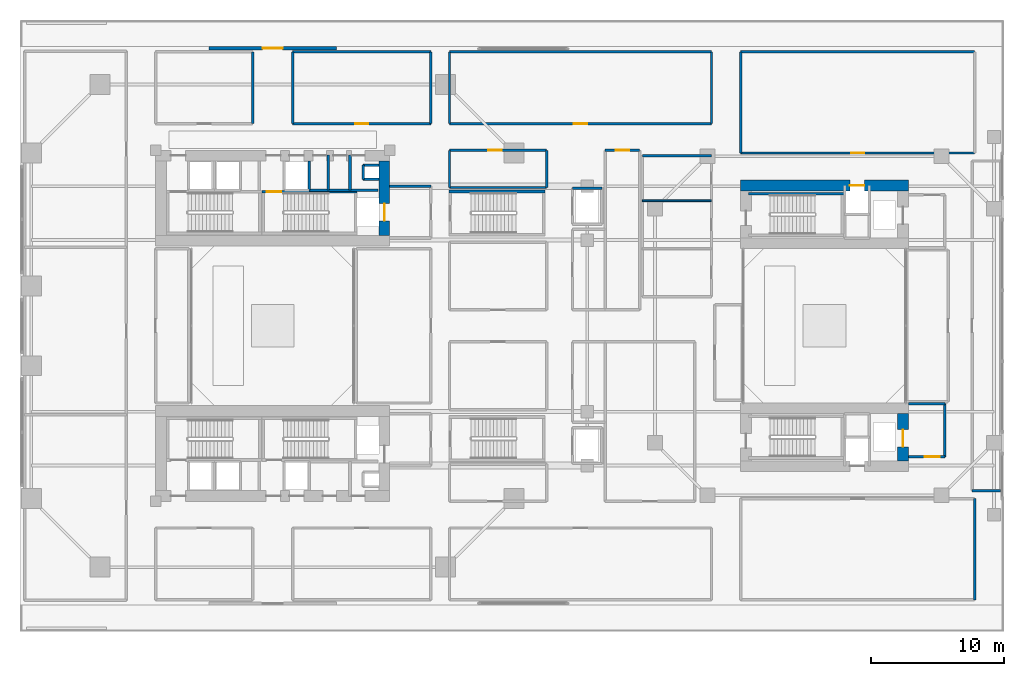
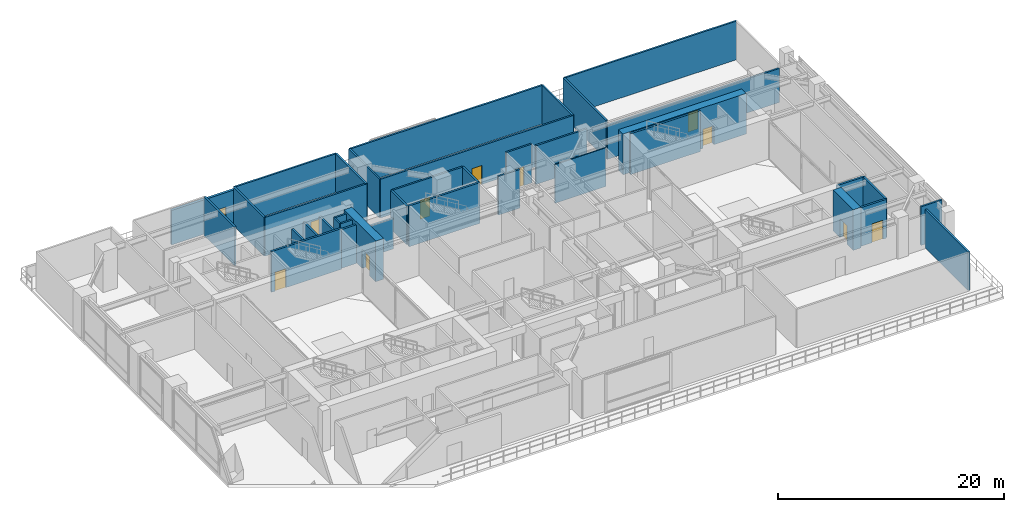
# One storey, part 14 of 19: 40 walls, 11 doors, 11 openings.
"""IFC4 building model written with IfcOpenShell, lengths in metres."""

from ifc_helpers import new_model, si_unit, direction, frame, frame_2d, origin, place, context, subcontext, project, spatial, rectangle, extrude, source, transform, mapped, material, layer, layer_set, type_object, element, fill, save


model = new_model("IFC4")

# Units and contexts
model_context = context("Model", 3, precision=1e-05, world=origin(), true_north=direction((0.0, 1.0)))
body_context = subcontext(model_context, "Body", "Model", "MODEL_VIEW")
ifc_project = project(units=[si_unit("LENGTHUNIT", "METRE"), si_unit("AREAUNIT", "SQUARE_METRE"), si_unit("VOLUMEUNIT", "CUBIC_METRE"), si_unit("PLANEANGLEUNIT", "RADIAN"), si_unit("MASSUNIT", "GRAM", prefix="KILO"), si_unit("THERMODYNAMICTEMPERATUREUNIT", "KELVIN"), si_unit("POWERUNIT", "WATT")], contexts=[model_context])

# Site, building, storey
site_placement = place(None, origin())
site = spatial("IfcSite", under=ifc_project, at=site_placement, CompositionType="ELEMENT")
building_placement = place(site_placement, origin())
building = spatial("IfcBuilding", under=site, at=building_placement, Name="Qiaomeng Ring Towers", CompositionType="ELEMENT")
storey_placement = place(building_placement, frame((0.0, 0.0, 5.0)))
storey = spatial("IfcBuildingStorey", under=building, at=storey_placement, Name="L01", CompositionType="ELEMENT", Elevation=5.0)

# Wall, opening, door
ifc_material_1 = material(Name="Precast concrete C40", Category="concrete")
ifc_layer_1 = layer(ifc_material_1, 0.25, Name="Precast concrete C40")
ifc_layer_set_1 = layer_set([ifc_layer_1], Name="Precast concrete C40")
wall_type_1 = type_object("IfcWallType", Name="ARC-WL-EW1", PredefinedType="STANDARD", material=ifc_layer_set_1)
wall_1_placement = place(storey_placement, frame((14.199951171875, 43.875, 0.0), z_axis=(0.0, 0.0, 1.0), x_axis=(1.0, 0.0, 0.0)))
wall_1 = element("IfcWall", 1, at=wall_1_placement, inside=storey, type_object=wall_type_1, Name="L01 North Podium Wall", PredefinedType="STANDARD", context=body_context, shape_type="SweptSolid", body=[
    extrude(rectangle(XDim=9.60009765625, YDim=0.25, at=frame_2d((4.800048828125, 0.0))), origin(), (0.0, 0.0, 1.0), 3.719970703125),
])
opening_1_placement = place(wall_1_placement, frame((4.050048828125, 0.0, 0.0)))
opening_1 = element("IfcOpeningElement", 2, at=opening_1_placement, cuts=wall_1, Name="Opening BD2", PredefinedType="OPENING", context=body_context, shape_type="SweptSolid", body=[
    extrude(rectangle(XDim=1.5, YDim=2.14990234375, at=frame_2d((0.75, 1.074951171875))), frame((0.0, 0.135009765625, 0.0), z_axis=(0.0, -1.0, 0.0), x_axis=(1.0, 0.0, 0.0)), (0.0, 0.0, 1.0), 0.27001953125),
])
ifc_material_2 = material(Name="Low-E pale-green laminated safety glass", Category="glass")
door_type_1 = type_object("IfcDoorType", Name="ARC-DR-BD2", OperationType="NOTDEFINED", PredefinedType="DOOR", material=ifc_material_2)
shared_shape_1 = source(origin(), body_context, "Body", "SweptSolid", [
    extrude(rectangle(XDim=1.5, YDim=2.14990234375, at=frame_2d((0.75, 1.074951171875))), frame((0.0, 0.02490234375, 0.0), z_axis=(0.0, -1.0, 0.0), x_axis=(1.0, 0.0, 0.0)), (0.0, 0.0, 1.0), 0.050048828125),
])
door_1_placement = place(opening_1_placement, origin())
door_1 = element("IfcDoor", 3, at=door_1_placement, inside=storey, type_object=door_type_1, Name="L01 North Podium Terrace Door", OperationType="DOUBLE_DOOR_SINGLE_SWING", OverallHeight=2.14990234375, OverallWidth=1.5, PredefinedType="DOOR", context=body_context, shape_type="MappedRepresentation", body=[
    mapped(shared_shape_1, transform((0.0, 0.0, 0.0), x_axis=(1.0, 0.0, 0.0), y_axis=(0.0, 1.0, 0.0), z_axis=(0.0, 0.0, 1.0), scale=1.0)),
])
fill(opening_1, door_1)

# Walls
ifc_material_3 = material(Name="Autoclaved aerated concrete block", Category="concrete")
ifc_layer_2 = layer(ifc_material_3, 0.199951171875, Name="Autoclaved aerated concrete block")
ifc_layer_set_2 = layer_set([ifc_layer_2], Name="Autoclaved aerated concrete block")
wall_type_2 = type_object("IfcWallType", Name="ARC-WL-PW1", PredefinedType="PARTITIONING", material=ifc_layer_set_2)
wall_2_placement = place(storey_placement, frame((27.800048828125, 33.5, 0.0), z_axis=(0.0, 0.0, 1.0), x_axis=(1.0, 0.0, 0.0)))
element("IfcWall", 4, at=wall_2_placement, inside=storey, type_object=wall_type_2, Name="L01 Interior Wall PW1", PredefinedType="PARTITIONING", context=body_context, shape_type="SweptSolid", body=[
    extrude(rectangle(XDim=3.099853515625, YDim=0.199951171875, at=frame_2d((1.5498046875, 0.0))), origin(), (0.0, 0.0, 1.0), 3.324951171875),
])
wall_3_placement = place(storey_placement, frame((24.820068359375, 33.199951171875, 0.0), z_axis=(0.0, 0.0, 1.0), x_axis=(0.0, 1.0, 0.0)))
element("IfcWall", 5, at=wall_3_placement, inside=storey, type_object=wall_type_2, Name="L01 Interior Wall PW1", PredefinedType="PARTITIONING", context=body_context, shape_type="SweptSolid", body=[
    extrude(rectangle(XDim=2.650146484375, YDim=0.199951171875, at=frame_2d((1.3251953125, 0.0))), origin(), (0.0, 0.0, 1.0), 4.179931640625),
])
wall_4_placement = place(storey_placement, frame((21.75, 33.199951171875, 0.0), z_axis=(0.0, 0.0, 1.0), x_axis=(0.0, 1.0, 0.0)))
element("IfcWall", 6, at=wall_4_placement, inside=storey, type_object=wall_type_2, Name="L01 Interior Wall PW1", PredefinedType="PARTITIONING", context=body_context, shape_type="SweptSolid", body=[
    extrude(rectangle(XDim=2.199951171875, YDim=0.199951171875, at=frame_2d((1.10009765625, 0.0))), origin(), (0.0, 0.0, 1.0), 4.179931640625),
])
wall_5_placement = place(storey_placement, frame((23.169921875, 33.199951171875, 0.0), z_axis=(0.0, 0.0, 1.0), x_axis=(0.0, 1.0, 0.0)))
element("IfcWall", 7, at=wall_5_placement, inside=storey, type_object=wall_type_2, Name="L01 Interior Wall PW1", PredefinedType="PARTITIONING", context=body_context, shape_type="SweptSolid", body=[
    extrude(rectangle(XDim=2.650146484375, YDim=0.199951171875, at=frame_2d((1.3251953125, 0.0))), origin(), (0.0, 0.0, 1.0), 4.179931640625),
])
wall_6_placement = place(storey_placement, frame((21.75, 33.199951171875, 0.0), z_axis=(0.0, 0.0, 1.0), x_axis=(1.0, 0.0, 0.0)))
element("IfcWall", 8, at=wall_6_placement, inside=storey, type_object=wall_type_2, Name="L01 Interior Wall PW1", PredefinedType="PARTITIONING", context=body_context, shape_type="SweptSolid", body=[
    extrude(rectangle(XDim=5.169921875, YDim=0.199951171875, at=frame_2d((2.5849609375, 0.0))), origin(), (0.0, 0.0, 1.0), 4.179931640625),
])
wall_7_placement = place(storey_placement, frame((66.800048828125, 17.14990234375, 0.0), z_axis=(0.0, 0.0, 1.0), x_axis=(1.0, 0.0, 0.0)))
element("IfcWall", 9, at=wall_7_placement, inside=storey, type_object=wall_type_2, Name="L01 Interior Wall PW1", PredefinedType="PARTITIONING", context=body_context, shape_type="SweptSolid", body=[
    extrude(rectangle(XDim=2.75, YDim=0.199951171875, at=frame_2d((1.375, 0.0))), origin(), (0.0, 0.0, 1.0), 4.179931640625),
])
wall_8_placement = place(storey_placement, frame((69.550048828125, 13.14990234375, 0.0), z_axis=(0.0, 0.0, 1.0), x_axis=(0.0, 1.0, 0.0)))
element("IfcWall", 10, at=wall_8_placement, inside=storey, type_object=wall_type_2, Name="L01 Interior Wall PW1", PredefinedType="PARTITIONING", context=body_context, shape_type="SweptSolid", body=[
    extrude(rectangle(XDim=4.0, YDim=0.199951171875, at=frame_2d((2.0, 0.0))), origin(), (0.0, 0.0, 1.0), 4.179931640625),
])

# Wall, opening, door
wall_9_placement = place(storey_placement, frame((66.800048828125, 13.14990234375, 0.0), z_axis=(0.0, 0.0, 1.0), x_axis=(1.0, 0.0, 0.0)))
wall_9 = element("IfcWall", 11, at=wall_9_placement, inside=storey, type_object=wall_type_2, Name="L01 Interior Wall PW1", PredefinedType="PARTITIONING", context=body_context, shape_type="SweptSolid", body=[
    extrude(rectangle(XDim=2.75, YDim=0.199951171875, at=frame_2d((1.375, 0.0))), origin(), (0.0, 0.0, 1.0), 4.179931640625),
])
opening_2_placement = place(wall_9_placement, frame((1.25, 0.0, 0.0)))
opening_2 = element("IfcOpeningElement", 12, at=opening_2_placement, cuts=wall_9, Name="Opening FD3", PredefinedType="OPENING", context=body_context, shape_type="SweptSolid", body=[
    extrude(rectangle(XDim=1.10009765625, YDim=2.050048828125, at=frame_2d((0.550048828125, 1.02490234375))), frame((0.0, 0.10986328125, 0.0), z_axis=(0.0, -1.0, 0.0), x_axis=(1.0, 0.0, 0.0)), (0.0, 0.0, 1.0), 0.219970703125),
])
ifc_material_4 = material(Name="Galvanised steel", Category="steel")
door_type_2 = type_object("IfcDoorType", Name="ARC-DR-FD3", OperationType="NOTDEFINED", PredefinedType="DOOR", material=ifc_material_4)
shared_shape_2 = source(origin(), body_context, "Body", "SweptSolid", [
    extrude(rectangle(XDim=1.10009765625, YDim=2.050048828125, at=frame_2d((0.550048828125, 1.02490234375))), frame((0.0, 0.02490234375, 0.0), z_axis=(0.0, -1.0, 0.0), x_axis=(1.0, 0.0, 0.0)), (0.0, 0.0, 1.0), 0.050048828125),
])
door_2_placement = place(opening_2_placement, origin())
door_2 = element("IfcDoor", 13, at=door_2_placement, inside=storey, type_object=door_type_2, Name="L01 Door FD3", OperationType="SINGLE_SWING_LEFT", OverallHeight=2.050048828125, OverallWidth=1.10009765625, PredefinedType="DOOR", context=body_context, shape_type="MappedRepresentation", body=[
    mapped(shared_shape_2, transform((0.0, 0.0, 0.0), x_axis=(1.0, 0.0, 0.0), y_axis=(0.0, 1.0, 0.0), z_axis=(0.0, 0.0, 1.0), scale=1.0)),
])
fill(opening_2, door_2)

# Walls
ifc_layer_3 = layer(ifc_material_3, 0.179931640625, Name="Autoclaved aerated concrete block")
ifc_layer_set_3 = layer_set([ifc_layer_3], Name="Autoclaved aerated concrete block")
wall_type_3 = type_object("IfcWallType", Name="ARC-WL-PW2", PredefinedType="PARTITIONING", material=ifc_layer_set_3)
wall_10_placement = place(storey_placement, frame((46.800048828125, 35.800048828125, 0.0), z_axis=(0.0, 0.0, 1.0), x_axis=(1.0, 0.0, 0.0)))
element("IfcWall", 14, at=wall_10_placement, inside=storey, type_object=wall_type_3, Name="L01 Interior Wall PW2", PredefinedType="PARTITIONING", context=body_context, shape_type="SweptSolid", body=[
    extrude(rectangle(XDim=5.199951171875, YDim=0.179931640625, at=frame_2d((2.60009765625, 0.0))), origin(), (0.0, 0.0, 1.0), 4.179931640625),
])
wall_11_placement = place(storey_placement, frame((32.300048828125, 33.39990234375, 0.0), z_axis=(0.0, 0.0, 1.0), x_axis=(1.0, 0.0, 0.0)))
element("IfcWall", 15, at=wall_11_placement, inside=storey, type_object=wall_type_3, Name="L01 Interior Wall PW2", PredefinedType="PARTITIONING", context=body_context, shape_type="SweptSolid", body=[
    extrude(rectangle(XDim=7.300048828125, YDim=0.179931640625, at=frame_2d((3.64990234375, 0.0))), origin(), (0.0, 0.0, 1.0), 3.324951171875),
])

# Wall, opening, door
wall_12_placement = place(storey_placement, frame((32.300048828125, 36.199951171875, 0.0), z_axis=(0.0, 0.0, 1.0), x_axis=(1.0, 0.0, 0.0)))
wall_12 = element("IfcWall", 16, at=wall_12_placement, inside=storey, type_object=wall_type_3, Name="L01 Interior Wall PW2", PredefinedType="PARTITIONING", context=body_context, shape_type="SweptSolid", body=[
    extrude(rectangle(XDim=7.300048828125, YDim=0.179931640625, at=frame_2d((3.64990234375, 0.0))), origin(), (0.0, 0.0, 1.0), 4.179931640625),
])
opening_3_placement = place(wall_12_placement, frame((2.9169921875, 0.0, 0.0)))
opening_3 = element("IfcOpeningElement", 17, at=opening_3_placement, cuts=wall_12, Name="Opening FD4", PredefinedType="OPENING", context=body_context, shape_type="SweptSolid", body=[
    extrude(rectangle(XDim=1.0, YDim=2.050048828125, at=frame_2d((0.5, 1.02490234375))), frame((0.0, 0.099853515625, 0.0), z_axis=(0.0, -1.0, 0.0), x_axis=(1.0, 0.0, 0.0)), (0.0, 0.0, 1.0), 0.199951171875),
])
ifc_material_5 = material(Name="Engineered fire-rated oak timber", Category="wood")
door_type_3 = type_object("IfcDoorType", Name="ARC-DR-FD4", OperationType="NOTDEFINED", PredefinedType="DOOR", material=ifc_material_5)
shared_shape_3 = source(origin(), body_context, "Body", "SweptSolid", [
    extrude(rectangle(XDim=1.0, YDim=2.050048828125, at=frame_2d((0.5, 1.02490234375))), frame((0.0, 0.02490234375, 0.0), z_axis=(0.0, -1.0, 0.0), x_axis=(1.0, 0.0, 0.0)), (0.0, 0.0, 1.0), 0.050048828125),
])
door_3_placement = place(opening_3_placement, origin())
door_3 = element("IfcDoor", 18, at=door_3_placement, inside=storey, type_object=door_type_3, Name="L01 L01 Cardiology Examination Room Door", OperationType="SINGLE_SWING_RIGHT", OverallHeight=2.050048828125, OverallWidth=1.0, PredefinedType="DOOR", context=body_context, shape_type="MappedRepresentation", body=[
    mapped(shared_shape_3, transform((0.0, 0.0, 0.0), x_axis=(1.0, 0.0, 0.0), y_axis=(0.0, 1.0, 0.0), z_axis=(0.0, 0.0, 1.0), scale=1.0)),
])
fill(opening_3, door_3)

# Walls
for number, where, z_axis, x_axis, name in (
    (19, (32.300048828125, 33.39990234375, 0.0), (0.0, 0.0, 1.0), (0.0, 1.0, 0.0), "L01 Interior Wall PW2"),
    (20, (39.60009765625, 33.39990234375, 0.0), (0.0, 0.0, 1.0), (0.0, 1.0, 0.0), "L01 Interior Wall PW2"),
):
    element("IfcWall", number, at=place(storey_placement, frame(where, z_axis=z_axis, x_axis=x_axis)), inside=storey, type_object=wall_type_3, Name=name, PredefinedType="PARTITIONING", context=body_context, shape_type="SweptSolid", body=[
        extrude(rectangle(XDim=2.800048828125, YDim=0.179931640625, at=frame_2d((1.39990234375, 0.0))), origin(), (0.0, 0.0, 1.0), 4.179931640625),
    ])

# Wall, opening, door
wall_13_placement = place(storey_placement, frame((44.0, 36.199951171875, 0.0), z_axis=(0.0, 0.0, 1.0), x_axis=(1.0, 0.0, 0.0)))
wall_13 = element("IfcWall", 21, at=wall_13_placement, inside=storey, type_object=wall_type_3, Name="L01 Interior Wall PW2", PredefinedType="PARTITIONING", context=body_context, shape_type="SweptSolid", body=[
    extrude(rectangle(XDim=2.60009765625, YDim=0.179931640625, at=frame_2d((1.300048828125, 0.0))), origin(), (0.0, 0.0, 1.0), 4.179931640625),
])
opening_4_placement = place(wall_13_placement, frame((0.800048828125, 0.0, 0.0)))
opening_4 = element("IfcOpeningElement", 22, at=opening_4_placement, cuts=wall_13, Name="Opening FD4", PredefinedType="OPENING", context=body_context, shape_type="SweptSolid", body=[
    extrude(rectangle(XDim=1.0, YDim=2.050048828125, at=frame_2d((0.5, 1.02490234375))), frame((0.0, 0.099853515625, 0.0), z_axis=(0.0, -1.0, 0.0), x_axis=(1.0, 0.0, 0.0)), (0.0, 0.0, 1.0), 0.199951171875),
])
door_4_placement = place(opening_4_placement, origin())
door_4 = element("IfcDoor", 23, at=door_4_placement, inside=storey, type_object=door_type_3, Name="L01 L01 Dental Care Clinic Door", OperationType="SINGLE_SWING_RIGHT", OverallHeight=2.050048828125, OverallWidth=1.0, PredefinedType="DOOR", context=body_context, shape_type="MappedRepresentation", body=[
    mapped(shared_shape_3, transform((0.0, 0.0, 0.0), x_axis=(1.0, 0.0, 0.0), y_axis=(0.0, 1.0, 0.0), z_axis=(0.0, 0.0, 1.0), scale=1.0)),
])
fill(opening_4, door_4)

# Walls
wall_14_placement = place(storey_placement, frame((71.60009765625, 10.60009765625, 0.0), z_axis=(0.0, 0.0, 1.0), x_axis=(1.0, 0.0, 0.0)))
element("IfcWall", 24, at=wall_14_placement, inside=storey, type_object=wall_type_3, Name="L01 Interior Wall PW2", PredefinedType="PARTITIONING", context=body_context, shape_type="SweptSolid", body=[
    extrude(rectangle(XDim=2.14990234375, YDim=0.179931640625, at=frame_2d((1.074951171875, 0.0))), origin(), (0.0, 0.0, 1.0), 4.179931640625),
])
wall_15_placement = place(storey_placement, frame((17.5, 38.199951171875, 0.0), z_axis=(0.0, 0.0, 1.0), x_axis=(0.0, 1.0, 0.0)))
element("IfcWall", 25, at=wall_15_placement, inside=storey, type_object=wall_type_3, Name="L01 Interior Wall PW2", PredefinedType="PARTITIONING", context=body_context, shape_type="SweptSolid", body=[
    extrude(rectangle(XDim=5.400146484375, YDim=0.179931640625, at=frame_2d((2.7001953125, 0.0))), origin(), (0.0, 0.0, 1.0), 4.179931640625),
])

# Wall, opening, door
wall_16_placement = place(storey_placement, frame((20.5, 38.199951171875, 0.0), z_axis=(0.0, 0.0, 1.0), x_axis=(1.0, 0.0, 0.0)))
wall_16 = element("IfcWall", 26, at=wall_16_placement, inside=storey, type_object=wall_type_3, Name="L01 Interior Wall PW2", PredefinedType="PARTITIONING", context=body_context, shape_type="SweptSolid", body=[
    extrude(rectangle(XDim=10.39990234375, YDim=0.179931640625, at=frame_2d((5.199951171875, 0.0))), origin(), (0.0, 0.0, 1.0), 4.179931640625),
])
opening_5_placement = place(wall_16_placement, frame((4.699951171875, 0.0, 0.0)))
opening_5 = element("IfcOpeningElement", 27, at=opening_5_placement, cuts=wall_16, Name="Opening FD4", PredefinedType="OPENING", context=body_context, shape_type="SweptSolid", body=[
    extrude(rectangle(XDim=1.0, YDim=2.050048828125, at=frame_2d((0.5, 1.02490234375))), frame((0.0, 0.099853515625, 0.0), z_axis=(0.0, -1.0, 0.0), x_axis=(1.0, 0.0, 0.0)), (0.0, 0.0, 1.0), 0.199951171875),
])
door_5_placement = place(opening_5_placement, origin())
door_5 = element("IfcDoor", 28, at=door_5_placement, inside=storey, type_object=door_type_3, Name="L01 L01 Medical Staff Conference Room Door", OperationType="SINGLE_SWING_RIGHT", OverallHeight=2.050048828125, OverallWidth=1.0, PredefinedType="DOOR", context=body_context, shape_type="MappedRepresentation", body=[
    mapped(shared_shape_3, transform((0.0, 0.0, 0.0), x_axis=(1.0, 0.0, 0.0), y_axis=(0.0, 1.0, 0.0), z_axis=(0.0, 0.0, 1.0), scale=1.0)),
])
fill(opening_5, door_5)

# Walls
wall_17_placement = place(storey_placement, frame((20.5, 43.60009765625, 0.0), z_axis=(0.0, 0.0, 1.0), x_axis=(1.0, 0.0, 0.0)))
element("IfcWall", 29, at=wall_17_placement, inside=storey, type_object=wall_type_3, Name="L01 Interior Wall PW2", PredefinedType="PARTITIONING", context=body_context, shape_type="SweptSolid", body=[
    extrude(rectangle(XDim=10.39990234375, YDim=0.179931640625, at=frame_2d((5.199951171875, 0.0))), origin(), (0.0, 0.0, 1.0), 4.179931640625),
])
for number, where, z_axis, x_axis, name in (
    (30, (20.5, 38.199951171875, 0.0), (0.0, 0.0, 1.0), (0.0, 1.0, 0.0), "L01 Interior Wall PW2"),
    (31, (30.89990234375, 38.199951171875, 0.0), (0.0, 0.0, 1.0), (0.0, 1.0, 0.0), "L01 Interior Wall PW2"),
):
    element("IfcWall", number, at=place(storey_placement, frame(where, z_axis=z_axis, x_axis=x_axis)), inside=storey, type_object=wall_type_3, Name=name, PredefinedType="PARTITIONING", context=body_context, shape_type="SweptSolid", body=[
        extrude(rectangle(XDim=5.400146484375, YDim=0.179931640625, at=frame_2d((2.7001953125, 0.0))), origin(), (0.0, 0.0, 1.0), 4.179931640625),
    ])

# Wall, opening, door
wall_18_placement = place(storey_placement, frame((32.300048828125, 38.199951171875, 0.0), z_axis=(0.0, 0.0, 1.0), x_axis=(1.0, 0.0, 0.0)))
wall_18 = element("IfcWall", 32, at=wall_18_placement, inside=storey, type_object=wall_type_3, Name="L01 Interior Wall PW2", PredefinedType="PARTITIONING", context=body_context, shape_type="SweptSolid", body=[
    extrude(rectangle(XDim=19.699951171875, YDim=0.179931640625, at=frame_2d((9.85009765625, 0.0))), origin(), (0.0, 0.0, 1.0), 4.179931640625),
])
opening_6_placement = place(wall_18_placement, frame((9.35009765625, 0.0, 0.0)))
opening_6 = element("IfcOpeningElement", 33, at=opening_6_placement, cuts=wall_18, Name="Opening FD4", PredefinedType="OPENING", context=body_context, shape_type="SweptSolid", body=[
    extrude(rectangle(XDim=1.0, YDim=2.050048828125, at=frame_2d((0.5, 1.02490234375))), frame((0.0, 0.099853515625, 0.0), z_axis=(0.0, -1.0, 0.0), x_axis=(1.0, 0.0, 0.0)), (0.0, 0.0, 1.0), 0.199951171875),
])
door_6_placement = place(opening_6_placement, origin())
door_6 = element("IfcDoor", 34, at=door_6_placement, inside=storey, type_object=door_type_3, Name="L01 L01 Preventive Screening Suite Door", OperationType="SINGLE_SWING_LEFT", OverallHeight=2.050048828125, OverallWidth=1.0, PredefinedType="DOOR", context=body_context, shape_type="MappedRepresentation", body=[
    mapped(shared_shape_3, transform((0.0, 0.0, 0.0), x_axis=(1.0, 0.0, 0.0), y_axis=(0.0, 1.0, 0.0), z_axis=(0.0, 0.0, 1.0), scale=1.0)),
])
fill(opening_6, door_6)

# Walls
wall_19_placement = place(storey_placement, frame((32.300048828125, 43.60009765625, 0.0), z_axis=(0.0, 0.0, 1.0), x_axis=(1.0, 0.0, 0.0)))
element("IfcWall", 35, at=wall_19_placement, inside=storey, type_object=wall_type_3, Name="L01 Interior Wall PW2", PredefinedType="PARTITIONING", context=body_context, shape_type="SweptSolid", body=[
    extrude(rectangle(XDim=19.699951171875, YDim=0.179931640625, at=frame_2d((9.85009765625, 0.0))), origin(), (0.0, 0.0, 1.0), 4.179931640625),
])
for number, where, z_axis, x_axis, name in (
    (36, (32.300048828125, 38.199951171875, 0.0), (0.0, 0.0, 1.0), (0.0, 1.0, 0.0), "L01 Interior Wall PW2"),
    (37, (52.0, 38.199951171875, 0.0), (0.0, 0.0, 1.0), (0.0, 1.0, 0.0), "L01 Interior Wall PW2"),
):
    element("IfcWall", number, at=place(storey_placement, frame(where, z_axis=z_axis, x_axis=x_axis)), inside=storey, type_object=wall_type_3, Name=name, PredefinedType="PARTITIONING", context=body_context, shape_type="SweptSolid", body=[
        extrude(rectangle(XDim=5.400146484375, YDim=0.179931640625, at=frame_2d((2.7001953125, 0.0))), origin(), (0.0, 0.0, 1.0), 4.179931640625),
    ])
wall_20_placement = place(storey_placement, frame((71.800048828125, 2.39990234375, 0.0), z_axis=(0.0, 0.0, 1.0), x_axis=(0.0, 1.0, 0.0)))
element("IfcWall", 38, at=wall_20_placement, inside=storey, type_object=wall_type_3, Name="L01 Interior Wall PW2", PredefinedType="PARTITIONING", context=body_context, shape_type="SweptSolid", body=[
    extrude(rectangle(XDim=7.60009765625, YDim=0.179931640625, at=frame_2d((3.800048828125, 0.0))), origin(), (0.0, 0.0, 1.0), 4.179931640625),
])

# Wall, opening, door
wall_21_placement = place(storey_placement, frame((54.199951171875, 36.0, 0.0), z_axis=(0.0, 0.0, 1.0), x_axis=(1.0, 0.0, 0.0)))
wall_21 = element("IfcWall", 39, at=wall_21_placement, inside=storey, type_object=wall_type_3, Name="L01 Interior Wall PW2", PredefinedType="PARTITIONING", context=body_context, shape_type="SweptSolid", body=[
    extrude(rectangle(XDim=17.60009765625, YDim=0.179931640625, at=frame_2d((8.800048828125, 0.0))), origin(), (0.0, 0.0, 1.0), 3.675048828125),
])
opening_7_placement = place(wall_21_placement, frame((8.300048828125, 0.0, 0.0)))
opening_7 = element("IfcOpeningElement", 40, at=opening_7_placement, cuts=wall_21, Name="Opening FD4", PredefinedType="OPENING", context=body_context, shape_type="SweptSolid", body=[
    extrude(rectangle(XDim=1.0, YDim=2.050048828125, at=frame_2d((0.5, 1.02490234375))), frame((0.0, 0.099853515625, 0.0), z_axis=(0.0, -1.0, 0.0), x_axis=(1.0, 0.0, 0.0)), (0.0, 0.0, 1.0), 0.199951171875),
])
door_7_placement = place(opening_7_placement, origin())
door_7 = element("IfcDoor", 41, at=door_7_placement, inside=storey, type_object=door_type_3, Name="L01 L01 Staff Dining Room Door", OperationType="SINGLE_SWING_LEFT", OverallHeight=2.050048828125, OverallWidth=1.0, PredefinedType="DOOR", context=body_context, shape_type="MappedRepresentation", body=[
    mapped(shared_shape_3, transform((0.0, 0.0, 0.0), x_axis=(1.0, 0.0, 0.0), y_axis=(0.0, 1.0, 0.0), z_axis=(0.0, 0.0, 1.0), scale=1.0)),
])
fill(opening_7, door_7)

# Walls
wall_22_placement = place(storey_placement, frame((54.199951171875, 43.60009765625, 0.0), z_axis=(0.0, 0.0, 1.0), x_axis=(1.0, 0.0, 0.0)))
element("IfcWall", 42, at=wall_22_placement, inside=storey, type_object=wall_type_3, Name="L01 Interior Wall PW2", PredefinedType="PARTITIONING", context=body_context, shape_type="SweptSolid", body=[
    extrude(rectangle(XDim=17.60009765625, YDim=0.179931640625, at=frame_2d((8.800048828125, 0.0))), origin(), (0.0, 0.0, 1.0), 4.179931640625),
])
wall_23_placement = place(storey_placement, frame((54.199951171875, 36.0, 0.0), z_axis=(0.0, 0.0, 1.0), x_axis=(0.0, 1.0, 0.0)))
element("IfcWall", 43, at=wall_23_placement, inside=storey, type_object=wall_type_3, Name="L01 Interior Wall PW2", PredefinedType="PARTITIONING", context=body_context, shape_type="SweptSolid", body=[
    extrude(rectangle(XDim=7.60009765625, YDim=0.179931640625, at=frame_2d((3.800048828125, 0.0))), origin(), (0.0, 0.0, 1.0), 4.179931640625),
])
ifc_material_6 = material(Name="Moisture-resistant gypsum steel-stud partition", Category="steel")
ifc_layer_4 = layer(ifc_material_6, 0.1201171875, Name="Moisture-resistant gypsum steel-stud partition")
ifc_layer_set_4 = layer_set([ifc_layer_4], Name="Moisture-resistant gypsum steel-stud partition")
wall_type_4 = type_object("IfcWallType", Name="ARC-WL-PW4", PredefinedType="PLUMBINGWALL", material=ifc_layer_set_4)
wall_24_placement = place(storey_placement, frame((46.800048828125, 32.409912109375, 0.0), z_axis=(0.0, 0.0, 1.0), x_axis=(1.0, 0.0, 0.0)))
element("IfcWall", 44, at=wall_24_placement, inside=storey, type_object=wall_type_4, Name="L01 Interior Wall PW4", PredefinedType="PLUMBINGWALL", context=body_context, shape_type="SweptSolid", body=[
    extrude(rectangle(XDim=5.199951171875, YDim=0.1201171875, at=frame_2d((2.60009765625, 0.0))), origin(), (0.0, 0.0, 1.0), 4.179931640625),
])
ifc_material_7 = material(Name="Concrete C40", Category="concrete")
ifc_layer_5 = layer(ifc_material_7, 0.199951171875, Name="Concrete C40")
ifc_layer_set_5 = layer_set([ifc_layer_5], Name="Concrete C40")
wall_type_5 = type_object("IfcWallType", Name="STR-WL-STSHAFT", PredefinedType="SHEAR", material=ifc_layer_set_5)
wall_25_placement = place(storey_placement, frame((25.800048828125, 34.02001953125, 0.0), z_axis=(0.0, 0.0, 1.0), x_axis=(0.0, 1.0, 0.0)))
element("IfcWall", 45, at=wall_25_placement, inside=storey, type_object=wall_type_5, Name="L01 Riser RSR1 West Shaft Wall N", PredefinedType="SHEAR", context=body_context, shape_type="SweptSolid", body=[
    extrude(rectangle(XDim=1.06005859375, YDim=0.179931640625, at=frame_2d((0.530029296875, 0.0))), origin(), (0.0, 0.0, 1.0), 4.179931640625),
])
for number, where, z_axis, x_axis, name in (
    (46, (25.800048828125, 35.080078125, 0.0), (0.0, 0.0, 1.0), (1.0, 0.0, 0.0), "L01 Riser RSR1 North Shaft Wall N"),
    (47, (25.800048828125, 34.02001953125, 0.0), (0.0, 0.0, 1.0), (1.0, 0.0, 0.0), "L01 Riser RSR1 South Shaft Wall N"),
):
    element("IfcWall", number, at=place(storey_placement, frame(where, z_axis=z_axis, x_axis=x_axis)), inside=storey, type_object=wall_type_5, Name=name, PredefinedType="SHEAR", context=body_context, shape_type="SweptSolid", body=[
        extrude(rectangle(XDim=1.199951171875, YDim=0.179931640625, at=frame_2d((0.60009765625, 0.0))), origin(), (0.0, 0.0, 1.0), 4.179931640625),
    ])
wall_26_placement = place(storey_placement, frame((41.550048828125, 33.35009765625, 0.0), z_axis=(0.0, 0.0, 1.0), x_axis=(1.0, 0.0, 0.0)))
element("IfcWall", 48, at=wall_26_placement, inside=storey, type_object=wall_type_5, Name="L01 Medical Lift LP9 North Shaft Wall", PredefinedType="SHEAR", context=body_context, shape_type="SweptSolid", body=[
    extrude(rectangle(XDim=2.199951171875, YDim=0.179931640625, at=frame_2d((1.10009765625, 0.0))), origin(), (0.0, 0.0, 1.0), 4.179931640625),
])

# Wall, opening, door
wall_27_placement = place(storey_placement, frame((18.199951171875, 33.090087890625, 0.0), z_axis=(0.0, 0.0, 1.0), x_axis=(1.0, 0.0, 0.0)))
wall_27 = element("IfcWall", 49, at=wall_27_placement, inside=storey, type_object=wall_type_5, Name="L01 Stair ST2 North Shaft Shear Wall", PredefinedType="SHEAR", context=body_context, shape_type="SweptSolid", body=[
    extrude(rectangle(XDim=7.150146484375, YDim=0.199951171875, at=frame_2d((3.5751953125, 0.0))), origin(), (0.0, 0.0, 1.0), 4.39990234375),
])
opening_8_placement = place(wall_27_placement, frame((0.35009765625, 0.0, 0.0)))
opening_8 = element("IfcOpeningElement", 50, at=opening_8_placement, cuts=wall_27, Name="Opening FD3", PredefinedType="OPENING", context=body_context, shape_type="SweptSolid", body=[
    extrude(rectangle(XDim=1.10009765625, YDim=2.050048828125, at=frame_2d((0.550048828125, 1.02490234375))), frame((0.0, 0.10986328125, 0.0), z_axis=(0.0, -1.0, 0.0), x_axis=(1.0, 0.0, 0.0)), (0.0, 0.0, 1.0), 0.219970703125),
])
door_8_placement = place(opening_8_placement, origin())
door_8 = element("IfcDoor", 51, at=door_8_placement, inside=storey, type_object=door_type_2, Name="L01 Stair ST2 Exit Door", OperationType="SINGLE_SWING_LEFT", OverallHeight=2.050048828125, OverallWidth=1.10009765625, PredefinedType="DOOR", context=body_context, shape_type="MappedRepresentation", body=[
    mapped(shared_shape_2, transform((0.0, 0.0, 0.0), x_axis=(1.0, 0.0, 0.0), y_axis=(0.0, 1.0, 0.0), z_axis=(0.0, 0.0, 1.0), scale=1.0)),
])
fill(opening_8, door_8)

# Walls
wall_28_placement = place(storey_placement, frame((54.800048828125, 32.93994140625, 0.0), z_axis=(0.0, 0.0, 1.0), x_axis=(1.0, 0.0, 0.0)))
element("IfcWall", 52, at=wall_28_placement, inside=storey, type_object=wall_type_5, Name="L01 Stair ST5 North Shaft Shear Wall", PredefinedType="SHEAR", context=body_context, shape_type="SweptSolid", body=[
    extrude(rectangle(XDim=7.14990234375, YDim=0.199951171875, at=frame_2d((3.574951171875, 0.0))), origin(), (0.0, 0.0, 1.0), 4.39990234375),
])
wall_29_placement = place(storey_placement, frame((32.25, 33.10009765625, 0.0), z_axis=(0.0, 0.0, 1.0), x_axis=(1.0, 0.0, 0.0)))
element("IfcWall", 53, at=wall_29_placement, inside=storey, type_object=wall_type_5, Name="L01 Stair ST7 North Shaft Shear Wall", PredefinedType="SHEAR", context=body_context, shape_type="SweptSolid", body=[
    extrude(rectangle(XDim=7.25, YDim=0.199951171875, at=frame_2d((3.625, 0.0))), origin(), (0.0, 0.0, 1.0), 4.39990234375),
])

# Wall, opening, door
ifc_material_8 = material(Name="Concrete C60", Category="concrete")
ifc_layer_6 = layer(ifc_material_8, 0.800048828125, Name="Concrete C60")
ifc_layer_set_6 = layer_set([ifc_layer_6], Name="Concrete C60")
wall_type_6 = type_object("IfcWallType", Name="STR-WL-SW1", PredefinedType="SHEAR", material=ifc_layer_set_6)
wall_30_placement = place(storey_placement, frame((27.39990234375, 29.800048828125, 0.0), z_axis=(0.0, 0.0, 1.0), x_axis=(0.0, 1.0, 0.0)))
wall_30 = element("IfcWall", 54, at=wall_30_placement, inside=storey, type_object=wall_type_6, Name="L01 T1NC east core shear wall", PredefinedType="SHEAR", context=body_context, shape_type="SweptSolid", body=[
    extrude(rectangle(XDim=5.599853515625, YDim=0.800048828125, at=frame_2d((2.7998046875, 0.0))), origin(), (0.0, 0.0, 1.0), 4.39990234375),
])
opening_9_placement = place(wall_30_placement, frame((1.10009765625, 0.0, 0.0)))
opening_9 = element("IfcOpeningElement", 55, at=opening_9_placement, cuts=wall_30, Name="Opening LD2", PredefinedType="OPENING", context=body_context, shape_type="SweptSolid", body=[
    extrude(rectangle(XDim=1.300048828125, YDim=2.050048828125, at=frame_2d((0.64990234375, 1.02490234375))), frame((0.0, 0.409912109375, 0.0), z_axis=(0.0, -1.0, 0.0), x_axis=(1.0, 0.0, 0.0)), (0.0, 0.0, 1.0), 0.820068359375),
])
ifc_material_9 = material(Name="Stainless steel 316", Category="steel")
door_type_4 = type_object("IfcDoorType", Name="ARC-DR-LD2", OperationType="NOTDEFINED", PredefinedType="DOOR", material=ifc_material_9)
shared_shape_4 = source(origin(), body_context, "Body", "SweptSolid", [
    extrude(rectangle(XDim=1.300048828125, YDim=2.050048828125, at=frame_2d((0.64990234375, 1.02490234375))), frame((0.0, 0.02490234375, 0.0), z_axis=(0.0, -1.0, 0.0), x_axis=(1.0, 0.0, 0.0)), (0.0, 0.0, 1.0), 0.050048828125),
])
door_9_placement = place(opening_9_placement, origin())
door_9 = element("IfcDoor", 56, at=door_9_placement, inside=storey, type_object=door_type_4, Name="L01 Firefighting Lift FL1 Landing Door", OperationType="SLIDING_TO_LEFT", OverallHeight=2.050048828125, OverallWidth=1.300048828125, PredefinedType="DOOR", context=body_context, shape_type="MappedRepresentation", body=[
    mapped(shared_shape_4, transform((0.0, 0.0, 0.0), x_axis=(1.0, 0.0, 0.0), y_axis=(0.0, 1.0, 0.0), z_axis=(0.0, 0.0, 1.0), scale=1.0)),
])
fill(opening_9, door_9)

wall_31_placement = place(storey_placement, frame((54.199951171875, 33.550048828125, 0.0), z_axis=(0.0, 0.0, 1.0), x_axis=(1.0, 0.0, 0.0)))
wall_31 = element("IfcWall", 57, at=wall_31_placement, inside=storey, type_object=wall_type_6, Name="L01 T2NC north core shear wall", PredefinedType="SHEAR", context=body_context, shape_type="SweptSolid", body=[
    extrude(rectangle(XDim=12.60009765625, YDim=0.800048828125, at=frame_2d((6.300048828125, 0.0))), origin(), (0.0, 0.0, 1.0), 4.39990234375),
])
opening_10_placement = place(wall_31_placement, frame((8.199951171875, 0.0, 0.0)))
opening_10 = element("IfcOpeningElement", 58, at=opening_10_placement, cuts=wall_31, Name="Opening LD1", PredefinedType="OPENING", context=body_context, shape_type="SweptSolid", body=[
    extrude(rectangle(XDim=1.10009765625, YDim=2.050048828125, at=frame_2d((0.550048828125, 1.02490234375))), frame((0.0, 0.409912109375, 0.0), z_axis=(0.0, -1.0, 0.0), x_axis=(1.0, 0.0, 0.0)), (0.0, 0.0, 1.0), 0.820068359375),
])
door_type_5 = type_object("IfcDoorType", Name="ARC-DR-LD1", OperationType="NOTDEFINED", PredefinedType="DOOR", material=ifc_material_9)
door_10_placement = place(opening_10_placement, origin())
door_10 = element("IfcDoor", 59, at=door_10_placement, inside=storey, type_object=door_type_5, Name="L01 Companion Lift LP7 Landing Door", OperationType="SLIDING_TO_LEFT", OverallHeight=2.050048828125, OverallWidth=1.10009765625, PredefinedType="DOOR", context=body_context, shape_type="MappedRepresentation", body=[
    mapped(shared_shape_2, transform((0.0, 0.0, 0.0), x_axis=(1.0, 0.0, 0.0), y_axis=(0.0, 1.0, 0.0), z_axis=(0.0, 0.0, 1.0), scale=1.0)),
])
fill(opening_10, door_10)

wall_32_placement = place(storey_placement, frame((66.39990234375, 12.85009765625, 0.0), z_axis=(0.0, 0.0, 1.0), x_axis=(0.0, 1.0, 0.0)))
wall_32 = element("IfcWall", 60, at=wall_32_placement, inside=storey, type_object=wall_type_6, Name="L01 T2SC east core shear wall", PredefinedType="SHEAR", context=body_context, shape_type="SweptSolid", body=[
    extrude(rectangle(XDim=3.5498046875, YDim=0.800048828125, at=frame_2d((1.77490234375, 0.0))), origin(), (0.0, 0.0, 1.0), 4.39990234375),
])
opening_11_placement = place(wall_32_placement, frame((1.050048828125, 0.0, 0.0)))
opening_11 = element("IfcOpeningElement", 61, at=opening_11_placement, cuts=wall_32, Name="Opening LD2", PredefinedType="OPENING", context=body_context, shape_type="SweptSolid", body=[
    extrude(rectangle(XDim=1.300048828125, YDim=2.050048828125, at=frame_2d((0.64990234375, 1.02490234375))), frame((0.0, 0.409912109375, 0.0), z_axis=(0.0, -1.0, 0.0), x_axis=(1.0, 0.0, 0.0)), (0.0, 0.0, 1.0), 0.820068359375),
])
door_11_placement = place(opening_11_placement, origin())
door_11 = element("IfcDoor", 62, at=door_11_placement, inside=storey, type_object=door_type_4, Name="L01 Firefighting Lift FL4 Landing Door", OperationType="SLIDING_TO_RIGHT", OverallHeight=2.050048828125, OverallWidth=1.300048828125, PredefinedType="DOOR", context=body_context, shape_type="MappedRepresentation", body=[
    mapped(shared_shape_4, transform((0.0, 0.0, 0.0), x_axis=(1.0, 0.0, 0.0), y_axis=(0.0, 1.0, 0.0), z_axis=(0.0, 0.0, 1.0), scale=1.0)),
])
fill(opening_11, door_11)

save(model, "model.ifc")
